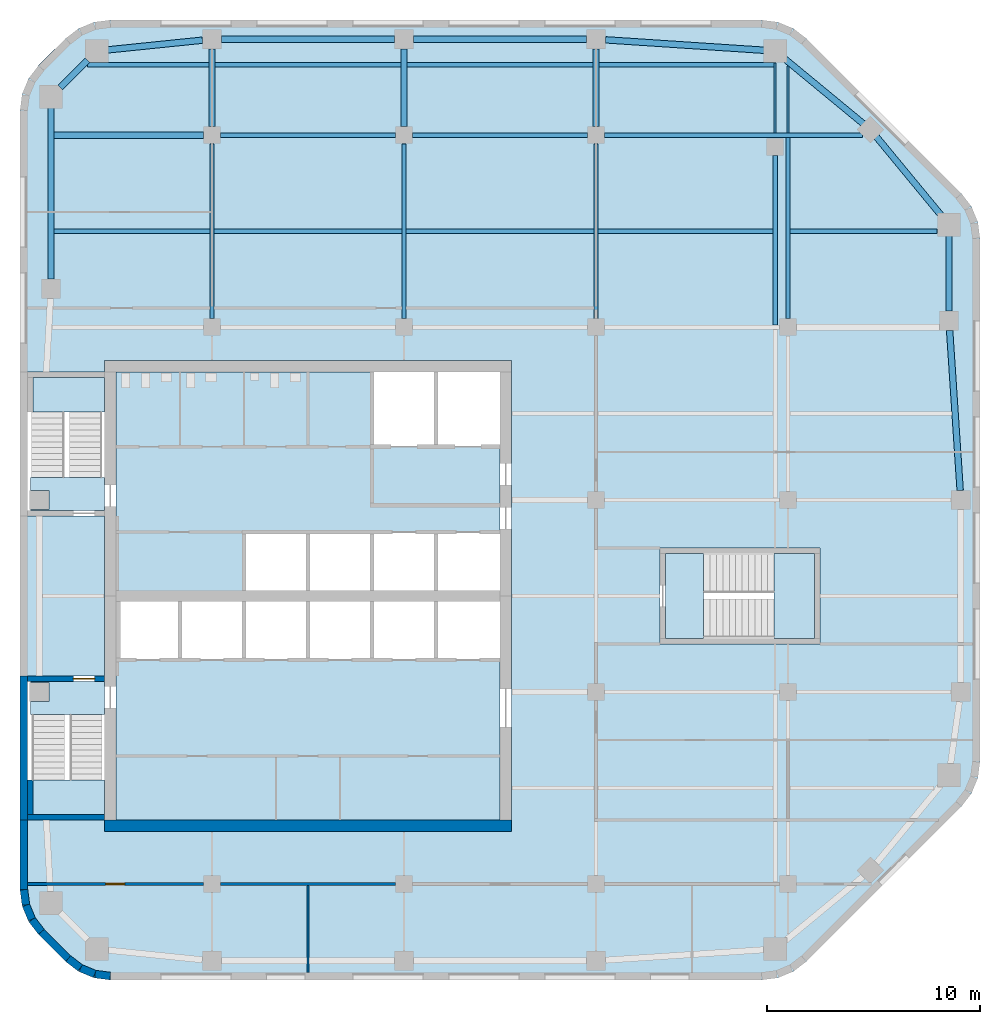
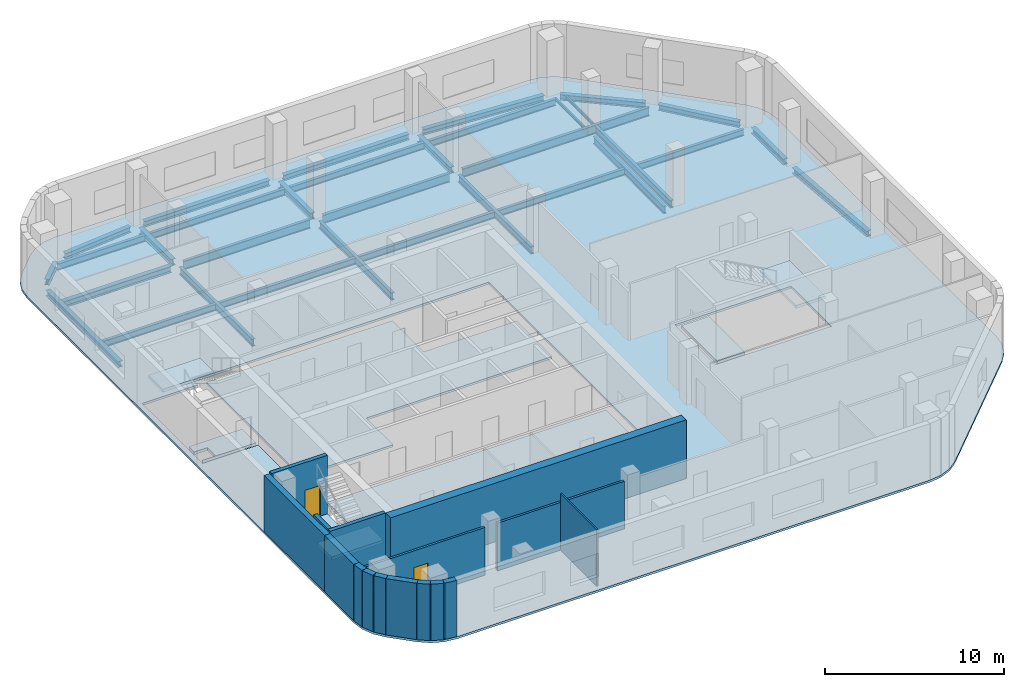
# One storey, part 2 of 7: 33 beams, 16 walls, 9 slabs, 2 doors, 2 openings, 3 elements without a shape of their own.
"""IFC4 building model written with IfcOpenShell, lengths in metres."""

from ifc_helpers import new_model, si_unit, direction, frame, frame_2d, origin, origin_2d, place, context, subcontext, project, spatial, polyline, rectangle, i_section, outline, extrude, material, layer, layer_set, material_profile, profile_set, type_object, element, fill, aggregate, save


model = new_model("IFC4")

# Units and contexts
model_context = context("Model", 3, precision=1e-05, world=origin(), true_north=direction((0.0, 1.0)))
body_context = subcontext(model_context, "Body", "Model", "MODEL_VIEW")
ifc_project = project(units=[si_unit("LENGTHUNIT", "METRE"), si_unit("AREAUNIT", "SQUARE_METRE"), si_unit("VOLUMEUNIT", "CUBIC_METRE"), si_unit("PLANEANGLEUNIT", "RADIAN"), si_unit("MASSUNIT", "GRAM", prefix="KILO")], contexts=[model_context])

# Site, building, storey
site_placement = place(None, origin())
site = spatial("IfcSite", under=ifc_project, at=site_placement, CompositionType="ELEMENT")
building_placement = place(site_placement, origin())
building = spatial("IfcBuilding", under=site, at=building_placement, Name="Cinnabar Reach Civic Tower", CompositionType="ELEMENT")
storey_placement = place(building_placement, frame((0.0, 0.0, 230.0)))
storey = spatial("IfcBuildingStorey", under=building, at=storey_placement, Name="L55", CompositionType="ELEMENT", Elevation=230.0)

# Beams
ifc_material_1 = material(Name="Steel Q355B", Category="steel")
ifc_material_profile_1 = material_profile(ifc_material_1, i_section(OverallWidth=0.3, OverallDepth=0.39, WebThickness=0.01, FlangeThickness=0.016, FilletRadius=0.013, at=origin_2d()), Name="HM390x300x10x16")
ifc_profile_set_1 = profile_set([ifc_material_profile_1], Name="Steel Q355B")
beam_type_1 = type_object("IfcBeamType", Name="HM390x300x10x16 beam R 180", PredefinedType="BEAM", material=ifc_profile_set_1)
beam_1_placement = place(storey_placement, frame((44.0702, 36.452, -0.345), z_axis=(-0.065709484267, 0.997838796438, 0.0), x_axis=(-0.997838796438, -0.065709484267, 0.0)))
element("IfcBeam", 1, at=beam_1_placement, inside=storey, type_object=beam_type_1, Name="Edge beam T1 L55 9", PredefinedType="BEAM", context=body_context, shape_type="SweptSolid", body=[
    extrude(i_section(OverallWidth=0.3, OverallDepth=0.39, WebThickness=0.01, FlangeThickness=0.016, FilletRadius=0.013, at=origin_2d()), origin(), (0.0, 0.0, 1.0), 7.5103),
])
beam_2_placement = place(storey_placement, frame((43.5469, 44.8501, -0.345), z_axis=(0.0, 1.0, 0.0), x_axis=(-1.0, 0.0, 0.0)))
element("IfcBeam", 2, at=beam_2_placement, inside=storey, type_object=beam_type_1, Name="Edge beam T1 L55 10", PredefinedType="BEAM", context=body_context, shape_type="SweptSolid", body=[
    extrude(i_section(OverallWidth=0.3, OverallDepth=0.39, WebThickness=0.01, FlangeThickness=0.016, FilletRadius=0.013, at=origin_2d()), origin(), (0.0, 0.0, 1.0), 3.616),
])
for number, where, z_axis, x_axis, name in (
    (3, (43.1906, 49.3301, -0.345), (-0.63630880182, 0.771434448755, 0.0), (-0.771434448755, -0.63630880182, 0.0), "Edge beam T1 L55 11"),
    (4, (39.5598, 53.6142, -0.345), (-0.771434448755, 0.63630880182, 0.0), (-0.63630880182, -0.771434448755, 0.0), "Edge beam T1 L55 12"),
):
    element("IfcBeam", number, at=place(storey_placement, frame(where, z_axis=z_axis, x_axis=x_axis)), inside=storey, type_object=beam_type_1, Name=name, PredefinedType="BEAM", context=body_context, shape_type="SweptSolid", body=[
        extrude(i_section(OverallWidth=0.3, OverallDepth=0.39, WebThickness=0.01, FlangeThickness=0.016, FilletRadius=0.013, at=origin_2d()), origin(), (0.0, 0.0, 1.0), 4.8348),
    ])
beam_3_placement = place(storey_placement, frame((34.9661, 57.0754, -0.345), z_axis=(-0.99783894477, 0.065707231721, 0.0), x_axis=(-0.065707231721, -0.99783894477, 0.0)))
element("IfcBeam", 5, at=beam_3_placement, inside=storey, type_object=beam_type_1, Name="Edge beam T1 L55 13", PredefinedType="BEAM", context=body_context, shape_type="SweptSolid", body=[
    extrude(i_section(OverallWidth=0.3, OverallDepth=0.39, WebThickness=0.01, FlangeThickness=0.016, FilletRadius=0.013, at=origin_2d()), origin(), (0.0, 0.0, 1.0), 7.5304),
])
for number, where, z_axis, x_axis, name in (
    (6, (26.548, 57.6, -0.345), (-1.0, 0.0, 0.0), (0.0, -1.0, 0.0), "Edge beam T1 L55 14"),
    (7, (17.548, 57.6, -0.345), (-1.0, 0.0, 0.0), (0.0, -1.0, 0.0), "Edge beam T1 L55 15"),
):
    element("IfcBeam", number, at=place(storey_placement, frame(where, z_axis=z_axis, x_axis=x_axis)), inside=storey, type_object=beam_type_1, Name=name, PredefinedType="BEAM", context=body_context, shape_type="SweptSolid", body=[
        extrude(i_section(OverallWidth=0.3, OverallDepth=0.39, WebThickness=0.01, FlangeThickness=0.016, FilletRadius=0.013, at=origin_2d()), origin(), (0.0, 0.0, 1.0), 8.096),
    ])
beam_4_placement = place(storey_placement, frame((8.548, 57.5537, -0.345), z_axis=(-0.994792272495, -0.101923179821, 0.0), x_axis=(0.101923179821, -0.994792272495, 0.0)))
element("IfcBeam", 8, at=beam_4_placement, inside=storey, type_object=beam_type_1, Name="Edge beam T1 L55 16", PredefinedType="BEAM", context=body_context, shape_type="SweptSolid", body=[
    extrude(i_section(OverallWidth=0.3, OverallDepth=0.39, WebThickness=0.01, FlangeThickness=0.016, FilletRadius=0.013, at=origin_2d()), origin(), (0.0, 0.0, 1.0), 4.5377),
])
beam_5_placement = place(storey_placement, frame((3.1699, 56.6149, -0.345), z_axis=(-0.707106781187, -0.707106781187, 0.0), x_axis=(0.707106781187, -0.707106781187, 0.0)))
element("IfcBeam", 9, at=beam_5_placement, inside=storey, type_object=beam_type_1, Name="Edge beam T1 L55 17", PredefinedType="BEAM", context=body_context, shape_type="SweptSolid", body=[
    extrude(i_section(OverallWidth=0.3, OverallDepth=0.39, WebThickness=0.01, FlangeThickness=0.016, FilletRadius=0.013, at=origin_2d()), origin(), (0.0, 0.0, 1.0), 1.817),
])
beam_6_placement = place(storey_placement, frame((1.4531, 54.4661, -0.345), z_axis=(0.0, -1.0, 0.0), x_axis=(1.0, 0.0, 0.0)))
element("IfcBeam", 10, at=beam_6_placement, inside=storey, type_object=beam_type_1, Name="Edge beam T1 L55 18", PredefinedType="BEAM", context=body_context, shape_type="SweptSolid", body=[
    extrude(i_section(OverallWidth=0.3, OverallDepth=0.39, WebThickness=0.01, FlangeThickness=0.016, FilletRadius=0.013, at=origin_2d()), origin(), (0.0, 0.0, 1.0), 8.116),
])
ifc_material_profile_2 = material_profile(ifc_material_1, i_section(OverallWidth=0.3, OverallDepth=0.44, WebThickness=0.011, FlangeThickness=0.018, FilletRadius=0.016, at=origin_2d()), Name="HM440x300x11x18")
ifc_profile_set_2 = profile_set([ifc_material_profile_2], Name="Steel Q355B")
beam_type_2 = type_object("IfcBeamType", Name="HM440x300x11x18 beam R 180", PredefinedType="BEAM", material=ifc_profile_set_2)
beam_7_placement = place(storey_placement, frame((1.6051, 53.1, -0.37), z_axis=(1.0, 0.0, 0.0), x_axis=(0.0, 1.0, 0.0)))
element("IfcBeam", 11, at=beam_7_placement, inside=storey, type_object=beam_type_2, Name="Girder T1 L55 17", PredefinedType="BEAM", context=body_context, shape_type="SweptSolid", body=[
    extrude(i_section(OverallWidth=0.3, OverallDepth=0.44, WebThickness=0.011, FlangeThickness=0.018, FilletRadius=0.016, at=origin_2d()), origin(), (0.0, 0.0, 1.0), 6.9929),
])
for number, where, z_axis, x_axis, name in (
    (12, (9.0, 53.502, -0.37), (0.0, 1.0, 0.0), (-1.0, 0.0, 0.0), "Girder T1 L55 5"),
    (13, (18.0, 53.502, -0.37), (0.0, 1.0, 0.0), (-1.0, 0.0, 0.0), "Girder T1 L55 10"),
    (14, (27.0, 53.502, -0.37), (0.0, 1.0, 0.0), (-1.0, 0.0, 0.0), "Girder T1 L55 16"),
):
    element("IfcBeam", number, at=place(storey_placement, frame(where, z_axis=z_axis, x_axis=x_axis)), inside=storey, type_object=beam_type_2, Name=name, PredefinedType="BEAM", context=body_context, shape_type="SweptSolid", body=[
        extrude(i_section(OverallWidth=0.3, OverallDepth=0.44, WebThickness=0.011, FlangeThickness=0.018, FilletRadius=0.016, at=origin_2d()), origin(), (0.0, 0.0, 1.0), 3.646),
    ])
ifc_material_profile_3 = material_profile(ifc_material_1, i_section(OverallWidth=0.099, OverallDepth=0.198, WebThickness=0.0045, FlangeThickness=0.007, FilletRadius=0.013, at=origin_2d()), Name="HN200x100x5.5x8")
ifc_profile_set_3 = profile_set([ifc_material_profile_3], Name="Steel Q355B")
beam_type_3 = type_object("IfcBeamType", Name="HN200x100x5.5x8 beam R 180", PredefinedType="BEAM", material=ifc_profile_set_3)
beam_8_placement = place(storey_placement, frame((35.3981, 53.2015, -0.249), z_axis=(0.0, 1.0, 0.0), x_axis=(-1.0, 0.0, 0.0)))
element("IfcBeam", 15, at=beam_8_placement, inside=storey, type_object=beam_type_3, Name="Girder T1 L55 23", PredefinedType="BEAM", context=body_context, shape_type="SweptSolid", body=[
    extrude(i_section(OverallWidth=0.099, OverallDepth=0.198, WebThickness=0.0045, FlangeThickness=0.007, FilletRadius=0.013, at=origin_2d()), origin(), (0.0, 0.0, 1.0), 3.2934),
])
beam_9_placement = place(storey_placement, frame((36.0, 53.2015, -0.249), z_axis=(0.0, 1.0, 0.0), x_axis=(-1.0, 0.0, 0.0)))
element("IfcBeam", 16, at=beam_9_placement, inside=storey, type_object=beam_type_3, Name="Girder T1 L55 30", PredefinedType="BEAM", context=body_context, shape_type="SweptSolid", body=[
    extrude(i_section(OverallWidth=0.099, OverallDepth=0.198, WebThickness=0.0045, FlangeThickness=0.007, FilletRadius=0.013, at=origin_2d()), origin(), (0.0, 0.0, 1.0), 3.1519),
])
ifc_material_profile_4 = material_profile(ifc_material_1, i_section(OverallWidth=0.199, OverallDepth=0.446, WebThickness=0.008, FlangeThickness=0.012, FilletRadius=0.016, at=origin_2d()), Name="HN446x199x8x12")
ifc_profile_set_4 = profile_set([ifc_material_profile_4], Name="Steel Q355B")
beam_type_4 = type_object("IfcBeamType", Name="HN446x199x8x12 beam R 180", PredefinedType="BEAM", material=ifc_profile_set_4)
beam_10_placement = place(storey_placement, frame((1.6051, 48.6, -0.373), z_axis=(1.0, 0.0, 0.0), x_axis=(0.0, 1.0, 0.0)))
element("IfcBeam", 17, at=beam_10_placement, inside=storey, type_object=beam_type_4, Name="Secondary beam T1 L55 11", PredefinedType="BEAM", context=body_context, shape_type="SweptSolid", body=[
    extrude(i_section(OverallWidth=0.199, OverallDepth=0.446, WebThickness=0.008, FlangeThickness=0.012, FilletRadius=0.016, at=origin_2d()), origin(), (0.0, 0.0, 1.0), 7.2929),
])
for number, where, z_axis, x_axis, name in (
    (18, (9.102, 48.6, -0.373), (1.0, 0.0, 0.0), (0.0, 1.0, 0.0), "Secondary beam T1 L55 12"),
    (19, (18.102, 48.6, -0.373), (1.0, 0.0, 0.0), (0.0, 1.0, 0.0), "Secondary beam T1 L55 13"),
):
    element("IfcBeam", number, at=place(storey_placement, frame(where, z_axis=z_axis, x_axis=x_axis)), inside=storey, type_object=beam_type_4, Name=name, PredefinedType="BEAM", context=body_context, shape_type="SweptSolid", body=[
        extrude(i_section(OverallWidth=0.199, OverallDepth=0.446, WebThickness=0.008, FlangeThickness=0.012, FilletRadius=0.016, at=origin_2d()), origin(), (0.0, 0.0, 1.0), 8.796),
    ])
beam_11_placement = place(storey_placement, frame((27.102, 48.6, -0.373), z_axis=(1.0, 0.0, 0.0), x_axis=(0.0, 1.0, 0.0)))
element("IfcBeam", 20, at=beam_11_placement, inside=storey, type_object=beam_type_4, Name="Secondary beam T1 L55 14", PredefinedType="BEAM", context=body_context, shape_type="SweptSolid", body=[
    extrude(i_section(OverallWidth=0.199, OverallDepth=0.446, WebThickness=0.008, FlangeThickness=0.012, FilletRadius=0.016, at=origin_2d()), origin(), (0.0, 0.0, 1.0), 8.1941),
])
beam_12_placement = place(storey_placement, frame((36.102, 48.6, -0.373), z_axis=(1.0, 0.0, 0.0), x_axis=(0.0, 1.0, 0.0)))
element("IfcBeam", 21, at=beam_12_placement, inside=storey, type_object=beam_type_4, Name="Secondary beam T1 L55 15", PredefinedType="BEAM", context=body_context, shape_type="SweptSolid", body=[
    extrude(i_section(OverallWidth=0.199, OverallDepth=0.446, WebThickness=0.008, FlangeThickness=0.012, FilletRadius=0.016, at=origin_2d()), origin(), (0.0, 0.0, 1.0), 6.8929),
])
beam_13_placement = place(storey_placement, frame((3.17, 56.4, -0.373), z_axis=(1.0, 0.0, 0.0), x_axis=(0.0, 1.0, 0.0)))
element("IfcBeam", 22, at=beam_13_placement, inside=storey, type_object=beam_type_4, Name="Secondary beam T1 L55 16", PredefinedType="BEAM", context=body_context, shape_type="SweptSolid", body=[
    extrude(i_section(OverallWidth=0.199, OverallDepth=0.446, WebThickness=0.008, FlangeThickness=0.012, FilletRadius=0.016, at=origin_2d()), origin(), (0.0, 0.0, 1.0), 5.678),
])
for number, where, z_axis, x_axis, name in (
    (23, (9.152, 56.4, -0.373), (1.0, 0.0, 0.0), (0.0, 1.0, 0.0), "Secondary beam T1 L55 17"),
    (24, (18.152, 56.4, -0.373), (1.0, 0.0, 0.0), (0.0, 1.0, 0.0), "Secondary beam T1 L55 18"),
):
    element("IfcBeam", number, at=place(storey_placement, frame(where, z_axis=z_axis, x_axis=x_axis)), inside=storey, type_object=beam_type_4, Name=name, PredefinedType="BEAM", context=body_context, shape_type="SweptSolid", body=[
        extrude(i_section(OverallWidth=0.199, OverallDepth=0.446, WebThickness=0.008, FlangeThickness=0.012, FilletRadius=0.016, at=origin_2d()), origin(), (0.0, 0.0, 1.0), 8.696),
    ])
beam_14_placement = place(storey_placement, frame((27.152, 56.4, -0.373), z_axis=(1.0, 0.0, 0.0), x_axis=(0.0, 1.0, 0.0)))
element("IfcBeam", 25, at=beam_14_placement, inside=storey, type_object=beam_type_4, Name="Secondary beam T1 L55 19", PredefinedType="BEAM", context=body_context, shape_type="SweptSolid", body=[
    extrude(i_section(OverallWidth=0.199, OverallDepth=0.446, WebThickness=0.008, FlangeThickness=0.012, FilletRadius=0.016, at=origin_2d()), origin(), (0.0, 0.0, 1.0), 8.1946),
])
ifc_material_profile_5 = material_profile(ifc_material_1, i_section(OverallWidth=0.2, OverallDepth=0.5, WebThickness=0.01, FlangeThickness=0.016, FilletRadius=0.016, at=origin_2d()), Name="HN500x200x10x16")
ifc_profile_set_5 = profile_set([ifc_material_profile_5], Name="Steel Q355B")
beam_type_5 = type_object("IfcBeamType", Name="HN500x200x10x16 beam R 180", PredefinedType="BEAM", material=ifc_profile_set_5)
for number, where, z_axis, x_axis, name in (
    (26, (9.0, 44.502, -0.4), (0.0, 1.0, 0.0), (-1.0, 0.0, 0.0), "Girder T1 L55 4"),
    (27, (18.0, 44.502, -0.4), (0.0, 1.0, 0.0), (-1.0, 0.0, 0.0), "Girder T1 L55 9"),
    (28, (27.0, 44.502, -0.4), (0.0, 1.0, 0.0), (-1.0, 0.0, 0.0), "Girder T1 L55 15"),
):
    element("IfcBeam", number, at=place(storey_placement, frame(where, z_axis=z_axis, x_axis=x_axis)), inside=storey, type_object=beam_type_5, Name=name, PredefinedType="BEAM", context=body_context, shape_type="SweptSolid", body=[
        extrude(i_section(OverallWidth=0.2, OverallDepth=0.5, WebThickness=0.01, FlangeThickness=0.016, FilletRadius=0.016, at=origin_2d()), origin(), (0.0, 0.0, 1.0), 8.196),
    ])
beam_15_placement = place(storey_placement, frame((35.3981, 44.2015, -0.4), z_axis=(0.0, 1.0, 0.0), x_axis=(-1.0, 0.0, 0.0)))
element("IfcBeam", 29, at=beam_15_placement, inside=storey, type_object=beam_type_5, Name="Girder T1 L55 22", PredefinedType="BEAM", context=body_context, shape_type="SweptSolid", body=[
    extrude(i_section(OverallWidth=0.2, OverallDepth=0.5, WebThickness=0.01, FlangeThickness=0.016, FilletRadius=0.016, at=origin_2d()), origin(), (0.0, 0.0, 1.0), 7.9434),
])
beam_16_placement = place(storey_placement, frame((36.0, 44.502, -0.4), z_axis=(0.0, 1.0, 0.0), x_axis=(-1.0, 0.0, 0.0)))
element("IfcBeam", 30, at=beam_16_placement, inside=storey, type_object=beam_type_5, Name="Girder T1 L55 29", PredefinedType="BEAM", context=body_context, shape_type="SweptSolid", body=[
    extrude(i_section(OverallWidth=0.2, OverallDepth=0.5, WebThickness=0.01, FlangeThickness=0.016, FilletRadius=0.016, at=origin_2d()), origin(), (0.0, 0.0, 1.0), 8.4965),
])
ifc_material_profile_6 = material_profile(ifc_material_1, i_section(OverallWidth=0.199, OverallDepth=0.596, WebThickness=0.01, FlangeThickness=0.015, FilletRadius=0.016, at=origin_2d()), Name="HN596x199x10x15")
ifc_profile_set_6 = profile_set([ifc_material_profile_6], Name="Steel Q355B")
beam_type_6 = type_object("IfcBeamType", Name="HN596x199x10x15 beam R 180", PredefinedType="BEAM", material=ifc_profile_set_6)
for number, where, z_axis, x_axis, name in (
    (31, (9.402, 53.1, -0.448), (1.0, 0.0, 0.0), (0.0, 1.0, 0.0), "Girder T1 L55 18"),
    (32, (18.402, 53.1, -0.448), (1.0, 0.0, 0.0), (0.0, 1.0, 0.0), "Girder T1 L55 19"),
):
    element("IfcBeam", number, at=place(storey_placement, frame(where, z_axis=z_axis, x_axis=x_axis)), inside=storey, type_object=beam_type_6, Name=name, PredefinedType="BEAM", context=body_context, shape_type="SweptSolid", body=[
        extrude(i_section(OverallWidth=0.199, OverallDepth=0.596, WebThickness=0.01, FlangeThickness=0.015, FilletRadius=0.016, at=origin_2d()), origin(), (0.0, 0.0, 1.0), 8.196),
    ])
beam_17_placement = place(storey_placement, frame((27.402, 53.1, -0.448), z_axis=(1.0, 0.0, 0.0), x_axis=(0.0, 1.0, 0.0)))
element("IfcBeam", 33, at=beam_17_placement, inside=storey, type_object=beam_type_6, Name="Girder T1 L55 20", PredefinedType="BEAM", context=body_context, shape_type="SweptSolid", body=[
    extrude(i_section(OverallWidth=0.199, OverallDepth=0.596, WebThickness=0.01, FlangeThickness=0.015, FilletRadius=0.016, at=origin_2d()), origin(), (0.0, 0.0, 1.0), 12.086),
])

# Slab
ifc_material_2 = material(Name="Concrete C40", Category="concrete")
ifc_layer_1 = layer(ifc_material_2, 0.15)
ifc_layer_set_1 = layer_set([ifc_layer_1], Name="Composite floor slab 150 REI 150")
slab_type_1 = type_object("IfcSlabType", Name="Composite floor slab 150 REI 150", PredefinedType="FLOOR", material=ifc_layer_set_1)
slab_1_placement = place(storey_placement, frame((0.0, 0.0, -0.15)))
element("IfcSlab", 34, at=slab_1_placement, inside=storey, type_object=slab_type_1, Name="Composite floor slab 150 T1 L55", PredefinedType="FLOOR", context=body_context, shape_type="SweptSolid", body=[
    extrude(outline(polyline([(0.8787, 15.6213), (0.4019, 16.2426), (0.1022, 16.9662), (0.0, 17.7426), (0.0, 54.2574), (0.1022, 55.0338), (0.4019, 55.7574), (0.8787, 56.3787), (2.1213, 57.6213), (2.7426, 58.0981), (3.4662, 58.3978), (4.2426, 58.5), (34.7574, 58.5), (35.5338, 58.3978), (36.2574, 58.0981), (36.8787, 57.6213), (44.1213, 50.3787), (44.5981, 49.7574), (44.8978, 49.0338), (45.0, 48.2574), (45.0, 23.7426), (44.8978, 22.9662), (44.5981, 22.2426), (44.1213, 21.6213), (36.8787, 14.3787), (36.2574, 13.9019), (35.5338, 13.6022), (34.7574, 13.5), (4.2426, 13.5), (3.4662, 13.6022), (2.7426, 13.9019), (2.1213, 14.3787), (0.8787, 15.6213)]), holes=[polyline([(0.36, 21.0), (3.95, 21.0), (3.95, 20.45), (23.05, 20.45), (23.05, 42.55), (3.95, 42.55), (3.95, 42.0), (0.36, 42.0), (0.36, 35.25), (3.95, 35.25), (3.95, 27.75), (0.36, 27.75), (0.36, 21.0)]), polyline([(30.0, 33.75), (30.0, 29.25), (37.5, 29.25), (37.5, 33.75), (30.0, 33.75)])]), origin(), (0.0, 0.0, 1.0), 0.15),
])

# Stair, slabs
ifc_material_3 = material(Name="Concrete C40/50", Category="concrete")
stair_type = type_object("IfcStairType", Name="T1 Exit stair, half-turn", PredefinedType="HALF_TURN_STAIR", material=ifc_material_3)
stair_1_placement = place(storey_placement, origin())
stair_1 = element("IfcStair", 35, at=stair_1_placement, inside=storey, type_object=stair_type, Name="Stair T1-S1", PredefinedType="HALF_TURN_STAIR")
ifc_layer_2 = layer(ifc_material_3, 0.2)
ifc_layer_set_2 = layer_set([ifc_layer_2], Name="T1 Stair landing 200, Concrete C40/50")
slab_type_2 = type_object("IfcSlabType", Name="T1 Stair landing 200, Concrete C40/50", PredefinedType="LANDING", material=ifc_layer_set_2)
slab_2_placement = place(storey_placement, frame((0.0, 0.0, -0.2)))
slab_2 = element("IfcSlab", 36, at=slab_2_placement, type_object=slab_type_2, Name="T1-S1 landing 1", PredefinedType="LANDING", context=body_context, shape_type="SweptSolid", body=[
    extrude(outline(polyline([(0.5, 27.5), (3.95, 27.5), (3.95, 25.95), (0.5, 25.95), (0.5, 26.55), (1.35, 26.55), (1.35, 27.45), (0.5, 27.45), (0.5, 27.5)])), origin(), (0.0, 0.0, 1.0), 0.2),
])
slab_3_placement = place(storey_placement, frame((0.0, 0.0, 1.8)))
slab_3 = element("IfcSlab", 37, at=slab_3_placement, type_object=slab_type_2, Name="T1-S1 landing 2", PredefinedType="LANDING", context=body_context, shape_type="SweptSolid", body=[
    extrude(outline(polyline([(0.6, 21.25), (0.6, 22.87), (3.95, 22.87), (3.95, 21.25), (0.6, 21.25)])), origin(), (0.0, 0.0, 1.0), 0.2),
])
aggregate(stair_1, [slab_2, slab_3])

stair_2_placement = place(storey_placement, origin())
stair_2 = element("IfcStair", 38, at=stair_2_placement, inside=storey, type_object=stair_type, Name="Stair T1-S2", PredefinedType="HALF_TURN_STAIR")
slab_4_placement = place(storey_placement, frame((0.0, 0.0, -0.2)))
slab_4 = element("IfcSlab", 39, at=slab_4_placement, type_object=slab_type_2, Name="T1-S2 landing 1", PredefinedType="LANDING", context=body_context, shape_type="SweptSolid", body=[
    extrude(outline(polyline([(0.5, 37.05), (3.95, 37.05), (3.95, 35.5), (0.5, 35.5), (0.5, 35.55), (1.35, 35.55), (1.35, 36.45), (0.5, 36.45), (0.5, 37.05)])), origin(), (0.0, 0.0, 1.0), 0.2),
])
slab_5_placement = place(storey_placement, frame((0.0, 0.0, 1.8)))
slab_5 = element("IfcSlab", 40, at=slab_5_placement, type_object=slab_type_2, Name="T1-S2 landing 2", PredefinedType="LANDING", context=body_context, shape_type="SweptSolid", body=[
    extrude(outline(polyline([(0.6, 40.13), (0.6, 41.75), (3.95, 41.75), (3.95, 40.13), (0.6, 40.13)])), origin(), (0.0, 0.0, 1.0), 0.2),
])
aggregate(stair_2, [slab_4, slab_5])

stair_3_placement = place(storey_placement, origin())
stair_3 = element("IfcStair", 41, at=stair_3_placement, inside=storey, type_object=stair_type, Name="Stair T1-S3", PredefinedType="HALF_TURN_STAIR")
slab_6_placement = place(storey_placement, frame((0.0, 0.0, -0.2)))
slab_6 = element("IfcSlab", 42, at=slab_6_placement, type_object=slab_type_2, Name="T1-S3 landing 1", PredefinedType="LANDING", context=body_context, shape_type="SweptSolid", body=[
    extrude(outline(polyline([(30.25, 29.5), (32.05, 29.5), (32.05, 33.5), (30.25, 33.5), (30.25, 29.5)])), origin(), (0.0, 0.0, 1.0), 0.2),
])
slab_7_placement = place(storey_placement, frame((0.0, 0.0, 1.8)))
slab_7 = element("IfcSlab", 43, at=slab_7_placement, type_object=slab_type_2, Name="T1-S3 landing 2", PredefinedType="LANDING", context=body_context, shape_type="SweptSolid", body=[
    extrude(outline(polyline([(35.35, 29.5), (37.25, 29.5), (37.25, 33.5), (35.35, 33.5), (35.35, 29.5)])), origin(), (0.0, 0.0, 1.0), 0.2),
])
aggregate(stair_3, [slab_6, slab_7])

# Slabs
ifc_layer_3 = layer(ifc_material_3, 0.15)
ifc_layer_set_3 = layer_set([ifc_layer_3], Name="T1 core floor slab 150")
slab_type_3 = type_object("IfcSlabType", Name="T1 core floor slab 150", PredefinedType="FLOOR", material=ifc_layer_set_3)
slab_8_placement = place(storey_placement, frame((0.0, 0.0, -0.15)))
element("IfcSlab", 44, at=slab_8_placement, inside=storey, type_object=slab_type_3, Name="Core floor slab L55", PredefinedType="FLOOR", context=body_context, shape_type="SweptSolid", body=[
    extrude(outline(polyline([(22.5, 21.0), (4.5, 21.0), (4.5, 28.5), (7.5, 28.5), (10.5, 28.5), (13.5, 28.5), (16.5, 28.5), (19.5, 28.5), (22.5, 28.5), (22.5, 21.0)])), origin(), (0.0, 0.0, 1.0), 0.15),
])
slab_9_placement = place(storey_placement, frame((0.0, 0.0, -0.15)))
element("IfcSlab", 45, at=slab_9_placement, inside=storey, type_object=slab_type_3, Name="Core floor slab L55", PredefinedType="FLOOR", context=body_context, shape_type="SweptSolid", body=[
    extrude(outline(polyline([(22.5, 34.5), (19.5, 34.5), (16.5, 34.5), (13.5, 34.5), (10.5, 34.5), (10.5, 31.5), (7.5, 31.5), (4.5, 31.5), (4.5, 42.0), (16.5, 42.0), (16.5, 38.5), (19.5, 38.5), (22.5, 38.5), (22.5, 34.5)])), origin(), (0.0, 0.0, 1.0), 0.15),
])

# Walls
ifc_material_4 = material(Name="Facing brick with insulated backing", Category="masonry")
ifc_layer_4 = layer(ifc_material_4, 0.36)
ifc_layer_set_4 = layer_set([ifc_layer_4], Name="Brick corner wall")
wall_type_1 = type_object("IfcWallType", Name="Brick corner wall", PredefinedType="STANDARD", material=ifc_layer_set_4)
for number, where, z_axis, x_axis, name in (
    (46, (0.183, 17.7314, 0.0), (0.0, 0.0, 1.0), (0.13055608231, -0.99144092581, 0.0), "Brick corner wall"),
    (47, (0.2819, 17.0027, 0.0), (0.0, 0.0, 1.0), (0.382702709855, -0.923871547278, 0.0), "Brick corner wall"),
):
    element("IfcWall", number, at=place(storey_placement, frame(where, z_axis=z_axis, x_axis=x_axis)), inside=storey, type_object=wall_type_1, Name=name, PredefinedType="STANDARD", context=body_context, shape_type="SweptSolid", body=[
        extrude(rectangle(XDim=0.7131, YDim=0.36, at=frame_2d((0.3565, 0.0))), origin(), (0.0, 0.0, 1.0), 3.85),
    ])
for number, where, z_axis, x_axis, name in (
    (48, (0.566, 16.3245, 0.0), (0.0, 0.0, 1.0), (0.608802368033, -0.793321924995, 0.0), "Brick corner wall"),
    (49, (2.2587, 14.5002, 0.0), (0.0, 0.0, 1.0), (0.793321924995, -0.608802368033, 0.0), "Brick corner wall"),
):
    element("IfcWall", number, at=place(storey_placement, frame(where, z_axis=z_axis, x_axis=x_axis)), inside=storey, type_object=wall_type_1, Name=name, PredefinedType="STANDARD", context=body_context, shape_type="SweptSolid", body=[
        extrude(rectangle(XDim=0.7132, YDim=0.36, at=frame_2d((0.3566, 0.0))), origin(), (0.0, 0.0, 1.0), 3.85),
    ])
for number, where, z_axis, x_axis, name in (
    (50, (2.8439, 14.0548, 0.0), (0.0, 0.0, 1.0), (0.923871547278, -0.382702709855, 0.0), "Brick corner wall"),
    (51, (3.5244, 13.7761, 0.0), (0.0, 0.0, 1.0), (0.99144092581, -0.13055608231, 0.0), "Brick corner wall"),
):
    element("IfcWall", number, at=place(storey_placement, frame(where, z_axis=z_axis, x_axis=x_axis)), inside=storey, type_object=wall_type_1, Name=name, PredefinedType="STANDARD", context=body_context, shape_type="SweptSolid", body=[
        extrude(rectangle(XDim=0.7131, YDim=0.36, at=frame_2d((0.3565, 0.0))), origin(), (0.0, 0.0, 1.0), 3.85),
    ])
ifc_layer_5 = layer(ifc_material_4, 0.36)
ifc_layer_set_5 = layer_set([ifc_layer_5], Name="Brick pier and spandrel wall")
wall_type_2 = type_object("IfcWallType", Name="Brick pier and spandrel wall", PredefinedType="STANDARD", material=ifc_layer_set_5)
wall_1_placement = place(storey_placement, frame((0.18, 27.75, 0.0), z_axis=(0.0, 0.0, 1.0), x_axis=(0.0, -1.0, 0.0)))
element("IfcWall", 52, at=wall_1_placement, inside=storey, type_object=wall_type_2, Name="Brick facade wall", PredefinedType="STANDARD", context=body_context, shape_type="SweptSolid", body=[
    extrude(rectangle(XDim=6.75, YDim=0.36, at=frame_2d((3.375, 0.0))), origin(), (0.0, 0.0, 1.0), 3.85),
])
wall_2_placement = place(storey_placement, frame((0.18, 21.0, 0.0), z_axis=(0.0, 0.0, 1.0), x_axis=(0.0, -1.0, 0.0)))
element("IfcWall", 53, at=wall_2_placement, inside=storey, type_object=wall_type_2, Name="Brick facade wall", PredefinedType="STANDARD", context=body_context, shape_type="SweptSolid", body=[
    extrude(rectangle(XDim=3.2574, YDim=0.36, at=frame_2d((1.6287, 0.0))), origin(), (0.0, 0.0, 1.0), 3.85),
])
wall_3_placement = place(storey_placement, frame((1.006, 15.7486, 0.0), z_axis=(0.0, 0.0, 1.0), x_axis=(0.707106781187, -0.707106781187, 0.0)))
element("IfcWall", 54, at=wall_3_placement, inside=storey, type_object=wall_type_2, Name="Brick facade wall", PredefinedType="STANDARD", context=body_context, shape_type="SweptSolid", body=[
    extrude(rectangle(XDim=1.7573, YDim=0.36, at=frame_2d((0.8787, 0.0))), origin(), (0.0, 0.0, 1.0), 3.85),
])
ifc_material_5 = material(Name="Concrete C60", Category="concrete")
ifc_layer_6 = layer(ifc_material_5, 0.55)
ifc_layer_set_6 = layer_set([ifc_layer_6], Name="Core wall 550 EI 180")
wall_type_3 = type_object("IfcWallType", Name="Core wall 550 EI 180", PredefinedType="SOLIDWALL", material=ifc_layer_set_6)
wall_4_placement = place(storey_placement, frame((3.95, 20.725, 0.0), z_axis=(0.0, 0.0, 1.0), x_axis=(1.0, 0.0, 0.0)))
element("IfcWall", 55, at=wall_4_placement, inside=storey, type_object=wall_type_3, Name="Core wall T1 L55 S", PredefinedType="SOLIDWALL", context=body_context, shape_type="SweptSolid", body=[
    extrude(rectangle(XDim=19.1, YDim=0.55, at=frame_2d((9.55, 0.0))), origin(), (0.0, 0.0, 1.0), 4.0),
])
ifc_material_6 = material(Name="Gypsum board on steel studs, double layer", Category="steel")
ifc_layer_7 = layer(ifc_material_6, 0.15)
ifc_layer_set_7 = layer_set([ifc_layer_7], Name="Corridor wall 150 T1")
wall_type_4 = type_object("IfcWallType", Name="Corridor wall 150 T1", PredefinedType="PARTITIONING", material=ifc_layer_set_7)
wall_5_placement = place(storey_placement, frame((9.4, 18.0, 0.0), z_axis=(0.0, 0.0, 1.0), x_axis=(1.0, 0.0, 0.0)))
element("IfcWall", 56, at=wall_5_placement, inside=storey, type_object=wall_type_4, Name="Corridor wall 21", PredefinedType="PARTITIONING", context=body_context, shape_type="SweptSolid", body=[
    extrude(rectangle(XDim=8.2, YDim=0.15, at=frame_2d((4.1, 0.0))), origin(), (0.0, 0.0, 1.0), 3.254),
])

# Wall, opening, door
wall_6_placement = place(storey_placement, frame((0.36, 18.0, 0.0), z_axis=(0.0, 0.0, 1.0), x_axis=(1.0, 0.0, 0.0)))
wall_6 = element("IfcWall", 57, at=wall_6_placement, inside=storey, type_object=wall_type_4, Name="Corridor wall 22", PredefinedType="PARTITIONING", context=body_context, shape_type="SweptSolid", body=[
    extrude(rectangle(XDim=8.24, YDim=0.15, at=frame_2d((4.12, 0.0))), origin(), (0.0, 0.0, 1.0), 3.254),
])
opening_1_placement = place(wall_6_placement, frame((3.65, 0.0, 0.0)))
opening_1 = element("IfcOpeningElement", 58, at=opening_1_placement, cuts=wall_6, Name="Opening D5256", PredefinedType="OPENING", context=body_context, shape_type="SweptSolid", body=[
    extrude(rectangle(XDim=0.9, YDim=2.1, at=frame_2d((0.45, 1.05))), frame((0.0, 0.085, 0.0), z_axis=(0.0, -1.0, 0.0), x_axis=(1.0, 0.0, 0.0)), (0.0, 0.0, 1.0), 0.17),
])
ifc_material_7 = material(Name="Timber door leaf in steel frame", Category="steel")
door_type_1 = type_object("IfcDoorType", Name="Single swing door 900 x 2100 corridor T1", OperationType="SINGLE_SWING_LEFT", PredefinedType="DOOR", material=ifc_material_7)
door_1_placement = place(opening_1_placement, frame((0.9, 0.0, 0.0), z_axis=(0.0, 0.0, 1.0), x_axis=(-1.0, 0.0, 0.0)))
door_1 = element("IfcDoor", 59, at=door_1_placement, inside=storey, type_object=door_type_1, Name="Door D5256", OperationType="SINGLE_SWING_LEFT", OverallHeight=2.1, OverallWidth=0.9, PredefinedType="DOOR", context=body_context, shape_type="SweptSolid", body=[
    extrude(rectangle(XDim=0.9, YDim=2.1, at=frame_2d((0.45, 1.05))), frame((0.0, 0.025, 0.0), z_axis=(0.0, -1.0, 0.0), x_axis=(1.0, 0.0, 0.0)), (0.0, 0.0, 1.0), 0.05),
])
fill(opening_1, door_1)

# Walls
ifc_material_8 = material(Name="Gypsum board on steel studs", Category="steel")
ifc_layer_8 = layer(ifc_material_8, 0.1)
ifc_layer_set_8 = layer_set([ifc_layer_8], Name="Partition wall 100 T1")
wall_type_5 = type_object("IfcWallType", Name="Partition wall 100 T1", PredefinedType="PARTITIONING", material=ifc_layer_set_8)
wall_7_placement = place(storey_placement, frame((13.5, 13.86, 0.0), z_axis=(0.0, 0.0, 1.0), x_axis=(0.0, 1.0, 0.0)))
element("IfcWall", 60, at=wall_7_placement, inside=storey, type_object=wall_type_5, Name="Partition wall 47", PredefinedType="PARTITIONING", context=body_context, shape_type="SweptSolid", body=[
    extrude(rectangle(XDim=4.065, YDim=0.1, at=frame_2d((2.0325, 0.0))), origin(), (0.0, 0.0, 1.0), 3.85),
])
ifc_layer_9 = layer(ifc_material_5, 0.25)
ifc_layer_set_9 = layer_set([ifc_layer_9], Name="Stair shaft wall 250 EI 120")
wall_type_6 = type_object("IfcWallType", Name="Stair shaft wall 250 EI 120", PredefinedType="SOLIDWALL", material=ifc_layer_set_9)
wall_8_placement = place(storey_placement, frame((0.36, 21.125, 0.0), z_axis=(0.0, 0.0, 1.0), x_axis=(1.0, 0.0, 0.0)))
element("IfcWall", 61, at=wall_8_placement, inside=storey, type_object=wall_type_6, Name="Stair shaft wall T1-S1 L55", PredefinedType="SOLIDWALL", context=body_context, shape_type="SweptSolid", body=[
    extrude(rectangle(XDim=3.59, YDim=0.25, at=frame_2d((1.795, 0.0))), origin(), (0.0, 0.0, 1.0), 4.0),
])

# Wall, opening, door
wall_9_placement = place(storey_placement, frame((3.95, 27.625, 0.0), z_axis=(0.0, 0.0, 1.0), x_axis=(-1.0, 0.0, 0.0)))
wall_9 = element("IfcWall", 62, at=wall_9_placement, inside=storey, type_object=wall_type_6, Name="Stair shaft wall T1-S1 L55", PredefinedType="SOLIDWALL", context=body_context, shape_type="SweptSolid", body=[
    extrude(rectangle(XDim=3.59, YDim=0.25, at=frame_2d((1.795, 0.0))), origin(), (0.0, 0.0, 1.0), 4.0),
])
opening_2_placement = place(wall_9_placement, frame((0.45, 0.0, 0.0)))
opening_2 = element("IfcOpeningElement", 63, at=opening_2_placement, cuts=wall_9, Name="Opening D5226", PredefinedType="OPENING", context=body_context, shape_type="SweptSolid", body=[
    extrude(rectangle(XDim=1.0, YDim=2.1, at=frame_2d((0.5, 1.05))), frame((0.0, 0.135, 0.0), z_axis=(0.0, -1.0, 0.0), x_axis=(1.0, 0.0, 0.0)), (0.0, 0.0, 1.0), 0.27),
])
door_type_2 = type_object("IfcDoorType", Name="Stair door 1000 x 2100 T1", OperationType="SINGLE_SWING_LEFT", PredefinedType="DOOR", material=ifc_material_7)
door_2_placement = place(opening_2_placement, origin())
door_2 = element("IfcDoor", 64, at=door_2_placement, inside=storey, type_object=door_type_2, Name="Door D5226", OperationType="SINGLE_SWING_LEFT", OverallHeight=2.1, OverallWidth=1.0, PredefinedType="DOOR", context=body_context, shape_type="SweptSolid", body=[
    extrude(rectangle(XDim=1.0, YDim=2.1, at=frame_2d((0.5, 1.05))), frame((0.0, 0.025, 0.0), z_axis=(0.0, -1.0, 0.0), x_axis=(1.0, 0.0, 0.0)), (0.0, 0.0, 1.0), 0.05),
])
fill(opening_2, door_2)

# Wall
ifc_layer_10 = layer(ifc_material_3, 0.24)
ifc_layer_set_10 = layer_set([ifc_layer_10], Name="T1 landing bearer wall 240")
wall_type_7 = type_object("IfcWallType", Name="T1 landing bearer wall 240", PredefinedType="STANDARD", material=ifc_layer_set_10)
wall_10_placement = place(storey_placement, frame((0.48, 21.25, 0.0), z_axis=(0.0, 0.0, 1.0), x_axis=(0.0, 1.0, 0.0)))
element("IfcWall", 65, at=wall_10_placement, inside=storey, type_object=wall_type_7, Name="T1-S1 landing bearer wall", PredefinedType="STANDARD", context=body_context, shape_type="SweptSolid", body=[
    extrude(rectangle(XDim=1.62, YDim=0.24, at=frame_2d((0.81, 0.0))), origin(), (0.0, 0.0, 1.0), 4.0),
])

save(model, "model.ifc")
